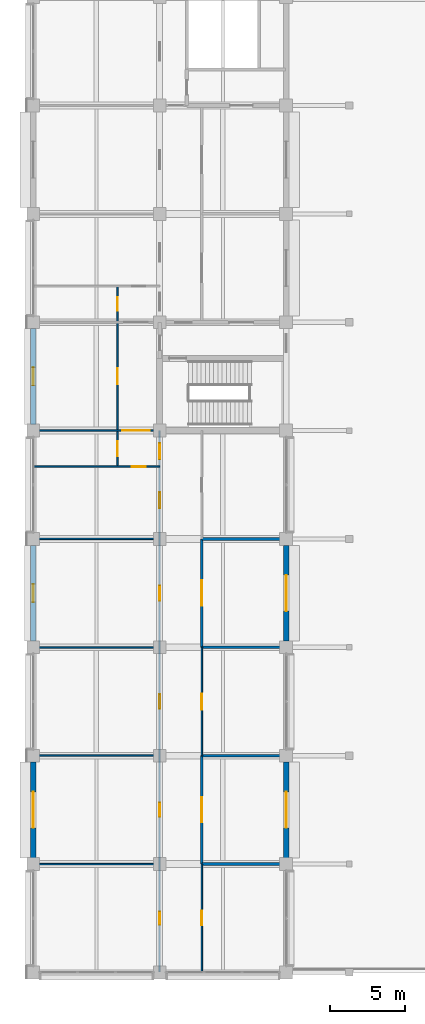
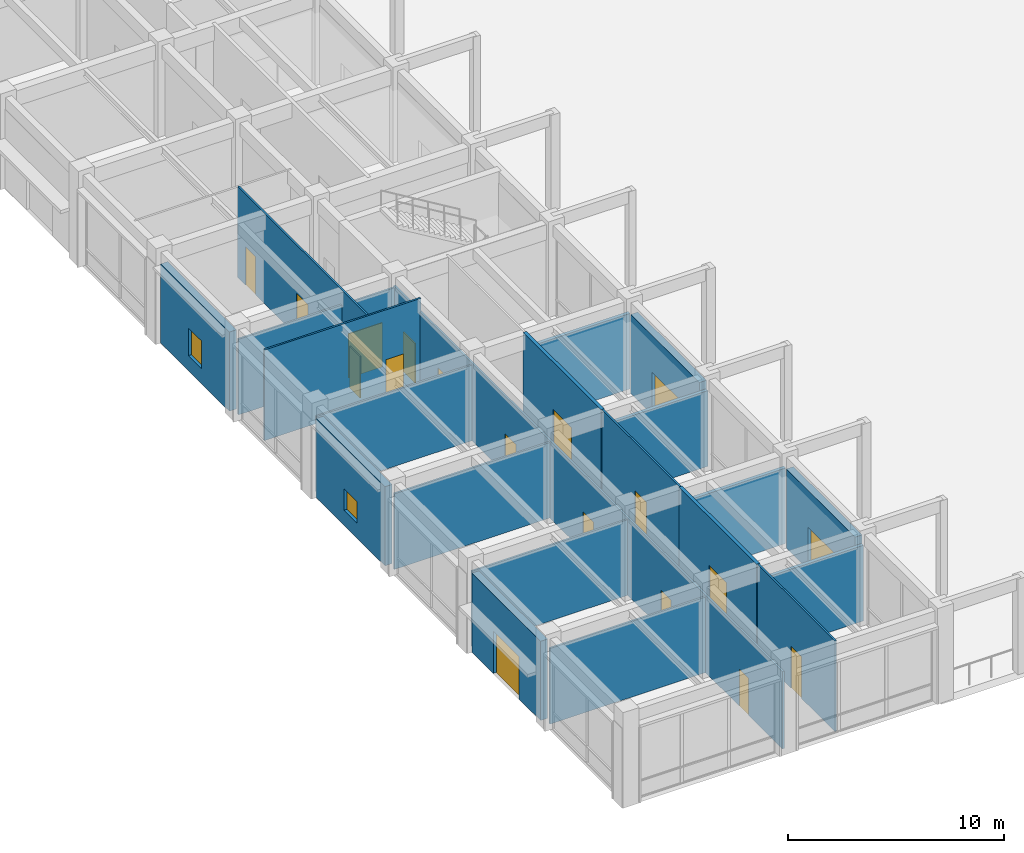
# One storey, part 38 of 73: 21 walls, 18 doors, 2 windows, 20 openings.
"""IFC4 building model written with IfcOpenShell, lengths in metres."""

import ifcopenshell
import ifcopenshell.guid

model = None  # the IFC model being written
_history = None  # IfcOwnerHistory: only IFC2X3 demands one
_inside = {}  # id of a spatial element -> (the spatial element, [elements in it])
_under = {}  # id of a project, library or spatial element -> (it, [spatial elements below it])
_declared = {}  # id of a project -> (the project, [libraries it declares])
_typed = {}  # id of a type object -> (the type object, [elements of that type])
_made_of = {}  # id of a material, layer set ... -> (it, [elements and type objects made of it])


def new_model(schema):
    """Start an empty IFC model of exactly this schema.

    Asked for "IFC4X3", IfcOpenShell would pick the latest addendum, in which some entities
    have other attributes; the version numbers below select the first issue.
    IFC2X3 requires an IfcOwnerHistory on every rooted entity: one is made here for all.
    """
    global model, _history
    if schema == "IFC4X3":
        model = ifcopenshell.file(schema_version=(4, 3, 0, 0))
    else:
        model = ifcopenshell.file(schema=schema)
    _inside.clear()
    _under.clear()
    _declared.clear()
    _typed.clear()
    _made_of.clear()
    _history = None
    if model.schema == "IFC2X3":
        org = make("IfcOrganization", Name="unknown")
        user = make(
            "IfcPersonAndOrganization",
            ThePerson=make("IfcPerson", FamilyName="unknown"),
            TheOrganization=org,
        )
        app = make(
            "IfcApplication",
            ApplicationDeveloper=org,
            Version="unknown",
            ApplicationFullName="unknown",
            ApplicationIdentifier="unknown",
        )
        _history = make(
            "IfcOwnerHistory",
            OwningUser=user,
            OwningApplication=app,
            ChangeAction="ADDED",
            CreationDate=0,
        )
    return model


def make(cls, **values):
    """One entity of the class cls with the attributes given. An attribute that is None is left unset."""
    return model.create_entity(
        cls, **{name: value for name, value in values.items() if value is not None}
    )


def rooted(cls, **values):
    """An entity with a GlobalId (a new one), such as an element, a storey or a relation."""
    return make(cls, GlobalId=ifcopenshell.guid.new(), OwnerHistory=_history, **values)


def si_unit(unit_type, name, prefix=None):
    """IfcSIUnit, for example si_unit("LENGTHUNIT", "METRE", prefix="MILLI")."""
    return make("IfcSIUnit", UnitType=unit_type, Prefix=prefix, Name=name)


def assignment(units):
    """IfcUnitAssignment: the units of a project."""
    return None if units is None else make("IfcUnitAssignment", Units=units)


def point(xyz):
    """IfcCartesianPoint."""
    return None if xyz is None else make("IfcCartesianPoint", Coordinates=xyz)


def direction(xyz):
    """IfcDirection."""
    return None if xyz is None else make("IfcDirection", DirectionRatios=xyz)


def frame(location, z_axis=None, x_axis=None):
    """IfcAxis2Placement3D, a coordinate frame: its origin and axes. An axis left out is left unset."""
    return make(
        "IfcAxis2Placement3D",
        Location=point(location),
        Axis=direction(z_axis),
        RefDirection=direction(x_axis),
    )


def frame_2d(location, x_axis=None):
    """IfcAxis2Placement2D, a coordinate frame in the plane: its origin and x axis."""
    return make(
        "IfcAxis2Placement2D", Location=point(location), RefDirection=direction(x_axis)
    )


def origin():
    """The frame at (0, 0, 0) with its axes left unset."""
    return frame((0.0, 0.0, 0.0))


def place(relative_to, where):
    """IfcLocalPlacement: puts the frame where relative to a parent placement (None: the world)."""
    return make(
        "IfcLocalPlacement", PlacementRelTo=relative_to, RelativePlacement=where
    )


def context(
    kind, dimensions, precision=None, world=None, true_north=None, identifier=None
):
    """IfcGeometricRepresentationContext, for example the 3D "Model" context."""
    return make(
        "IfcGeometricRepresentationContext",
        ContextIdentifier=identifier,
        ContextType=kind,
        CoordinateSpaceDimension=dimensions,
        Precision=precision,
        WorldCoordinateSystem=world,
        TrueNorth=true_north,
    )


def subcontext(parent, identifier, kind, view, scale=None):
    """IfcGeometricRepresentationSubContext, for example "Body" below "Model"."""
    return make(
        "IfcGeometricRepresentationSubContext",
        ContextIdentifier=identifier,
        ContextType=kind,
        ParentContext=parent,
        TargetScale=scale,
        TargetView=view,
    )


def project(units=None, contexts=None):
    """IfcProject with its units and contexts."""
    return rooted(
        "IfcProject",
        Name="project",
        RepresentationContexts=contexts,
        UnitsInContext=assignment(units),
    )


def spatial(cls, under=None, at=None, **own):
    """A site, building, storey or space (cls), placed at a placement, below another one or the project."""
    s = rooted(cls, ObjectPlacement=at, **own)
    if under is not None:
        _under.setdefault(under.id(), (under, []))[1].append(s)
    return s


def profile(cls, at=None, kind="AREA", **sizes):
    """A parametric profile (cls). Its sizes go by their IFC names, for example OverallWidth=200.0."""
    return make(cls, ProfileType=kind, Position=at, **sizes)


def rectangle(**sizes):
    """IfcRectangleProfileDef."""
    return profile("IfcRectangleProfileDef", **sizes)


def extrude(swept, where, along, depth):
    """IfcExtrudedAreaSolid: the profile swept, set in the frame where, extruded along a direction by depth."""
    return make(
        "IfcExtrudedAreaSolid",
        SweptArea=swept,
        Position=where,
        ExtrudedDirection=direction(along),
        Depth=depth,
    )


def shape(context_of_items, identifier, shape_type, items):
    """IfcShapeRepresentation: the items that make up one representation, for example the "Body"."""
    return make(
        "IfcShapeRepresentation",
        ContextOfItems=context_of_items,
        RepresentationIdentifier=identifier,
        RepresentationType=shape_type,
        Items=items,
    )


def material(Name=None, Category=None):
    """IfcMaterial."""
    return make("IfcMaterial", Name=Name, Category=Category)


def layer(
    of_material, thickness, ventilated=None, Name=None, Category=None, Priority=None
):
    """IfcMaterialLayer: one layer of a wall or slab, of a material (None: an air gap)."""
    return make(
        "IfcMaterialLayer",
        Material=of_material,
        LayerThickness=thickness,
        IsVentilated=ventilated,
        Name=Name,
        Category=Category,
        Priority=Priority,
    )


def layer_set(layers, Name=None):
    """IfcMaterialLayerSet."""
    return make("IfcMaterialLayerSet", MaterialLayers=layers, LayerSetName=Name)


def made_of(thing, what):
    """Note that an element or type object is made of a material, layer set ...; save() writes the relation."""
    if what is not None:
        _made_of.setdefault(what.id(), (what, []))[1].append(thing)
    return thing


def type_object(cls, material=None, **own):
    """A type object (cls), such as IfcWallType, which elements share."""
    return made_of(rooted(cls, **own), material)


def element(
    cls,
    number,
    at=None,
    inside=None,
    cuts=None,
    type_object=None,
    material=None,
    context=None,
    identifier="Body",
    shape_type=None,
    held_by="IfcProductDefinitionShape",
    body=None,
    shapes=None,
    **own,
):
    """One element of the class cls, such as IfcWall. Its Tag is "e" and its number.

    at: its placement. inside: the storey or other place that contains it. cuts: it is an
    opening in that element (IfcRelVoidsElement). A single representation is given by context,
    identifier, shape_type and body (its items); several are given by shapes. held_by: the class
    of the entity that holds the representations. save() writes the other relations.
    """
    e = rooted(cls, Tag="e%d" % number, ObjectPlacement=at, **own)
    if body is not None:
        shapes = [shape(context, identifier, shape_type, body)]
    if shapes is not None:
        e.Representation = make(held_by, Representations=shapes)
    if inside is not None:
        _inside.setdefault(inside.id(), (inside, []))[1].append(e)
    if cuts is not None:
        rooted(
            "IfcRelVoidsElement", RelatingBuildingElement=cuts, RelatedOpeningElement=e
        )
    if type_object is not None:
        _typed.setdefault(type_object.id(), (type_object, []))[1].append(e)
    return made_of(e, material)


def fill(opening, filler):
    """IfcRelFillsElement: the door or window that sits in an opening."""
    return rooted(
        "IfcRelFillsElement",
        RelatingOpeningElement=opening,
        RelatedBuildingElement=filler,
    )


def aggregate(whole, parts):
    """IfcRelAggregates: a whole, such as a stair, and the parts it consists of."""
    return rooted("IfcRelAggregates", RelatingObject=whole, RelatedObjects=parts)


def save(model, path):
    """Write the relations noted so far, then the file.

    IfcRelAggregates (storeys below a building ...), IfcRelContainedInSpatialStructure (elements
    in a storey), IfcRelDefinesByType, IfcRelAssociatesMaterial and IfcRelDeclares: one each for
    every whole, place, type object, material and project.
    """
    for whole, parts in _under.values():
        aggregate(whole, parts)
    for where, things in _inside.values():
        rooted(
            "IfcRelContainedInSpatialStructure",
            RelatedElements=things,
            RelatingStructure=where,
        )
    for kind, things in _typed.values():
        rooted("IfcRelDefinesByType", RelatedObjects=things, RelatingType=kind)
    for what, things in _made_of.values():
        rooted("IfcRelAssociatesMaterial", RelatedObjects=things, RelatingMaterial=what)
    for by, libraries in _declared.values():
        rooted("IfcRelDeclares", RelatingContext=by, RelatedDefinitions=libraries)
    model.write(path)


model = new_model("IFC4")

# Units and contexts
model_context = context("Model", 3, precision=1e-05, world=origin(), true_north=direction((0.0, 1.0)))
body_context = subcontext(model_context, "Body", "Model", "MODEL_VIEW")
ifc_project = project(units=[si_unit("LENGTHUNIT", "METRE"), si_unit("AREAUNIT", "SQUARE_METRE"), si_unit("VOLUMEUNIT", "CUBIC_METRE"), si_unit("PLANEANGLEUNIT", "RADIAN"), si_unit("MASSUNIT", "GRAM", prefix="KILO")], contexts=[model_context])

# Site, building, storey
site_placement = place(None, origin())
site = spatial("IfcSite", under=ifc_project, at=site_placement, CompositionType="ELEMENT")
building_placement = place(site_placement, origin())
building = spatial("IfcBuilding", under=site, at=building_placement, Name="Chengyuan Square Courthouse", CompositionType="ELEMENT")
storey_placement = place(building_placement, origin())
storey = spatial("IfcBuildingStorey", under=building, at=storey_placement, Name="L01", CompositionType="ELEMENT", Elevation=0.0)

# Wall, opening, door
ifc_material_1 = material(Name="Concrete C40", Category="concrete")
ifc_layer_1 = layer(ifc_material_1, 0.3798828125)
ifc_layer_set_1 = layer_set([ifc_layer_1], Name="Concrete C40")
wall_type_1 = type_object("IfcWallType", Name="WL-EW1", PredefinedType="STANDARD", material=ifc_layer_set_1)
wall_1_placement = place(storey_placement, frame((0.0, 7.6201171875, 0.0), z_axis=(0.0, 0.0, 1.0), x_axis=(0.0, 1.0, 0.0)))
wall_1 = element("IfcWall", 1, at=wall_1_placement, inside=storey, type_object=wall_type_1, Name="Exterior Wall WL-L01-E145", PredefinedType="STANDARD", context=body_context, shape_type="SweptSolid", body=[
    extrude(rectangle(XDim=6.35986328125, YDim=0.3798828125, at=frame_2d((3.179931640625, 0.0))), origin(), (0.0, 0.0, 1.0), 4.469970703125),
])
opening_1_placement = place(wall_1_placement, frame((1.97998046875, 0.0, 0.0)))
opening_1 = element("IfcOpeningElement", 2, at=opening_1_placement, cuts=wall_1, Name="Opening E-17", PredefinedType="OPENING", context=body_context, shape_type="SweptSolid", body=[
    extrude(rectangle(XDim=2.39990234375, YDim=2.39990234375, at=frame_2d((1.199951171875, 1.199951171875))), frame((0.0, 0.201904296875, 0.0), z_axis=(0.0, -1.0, 0.0), x_axis=(1.0, 0.0, 0.0)), (0.0, 0.0, 1.0), 0.40380859375),
])
ifc_material_2 = material(Name="Glazed Bronze Civic Entrance Door")
door_type_1 = type_object("IfcDoorType", Name="DT-01", OperationType="DOUBLE_DOOR_SINGLE_SWING", PredefinedType="DOOR", material=ifc_material_2)
door_1_placement = place(opening_1_placement, origin())
door_1 = element("IfcDoor", 3, at=door_1_placement, inside=storey, type_object=door_type_1, Name="Main Pedestrian Entrance Exit Door E-17", OperationType="DOUBLE_DOOR_SINGLE_SWING", OverallHeight=2.39990234375, OverallWidth=2.39990234375, PredefinedType="DOOR", context=body_context, shape_type="SweptSolid", body=[
    extrude(rectangle(XDim=2.39990234375, YDim=2.39990234375, at=frame_2d((1.199951171875, 1.199951171875))), frame((0.0, 0.02490234375, 0.0), z_axis=(0.0, -1.0, 0.0), x_axis=(1.0, 0.0, 0.0)), (0.0, 0.0, 1.0), 0.050048828125),
])
fill(opening_1, door_1)

# Wall, opening, window
wall_2_placement = place(storey_placement, frame((0.0, 22.02001953125, 0.0), z_axis=(0.0, 0.0, 1.0), x_axis=(0.0, 1.0, 0.0)))
wall_2 = element("IfcWall", 4, at=wall_2_placement, inside=storey, type_object=wall_type_1, Name="Exterior Wall WL-L01-E146", PredefinedType="STANDARD", context=body_context, shape_type="SweptSolid", body=[
    extrude(rectangle(XDim=6.35986328125, YDim=0.3798828125, at=frame_2d((3.179931640625, 0.0))), origin(), (0.0, 0.0, 1.0), 4.469970703125),
])
opening_2_placement = place(wall_2_placement, frame((2.580078125, 0.0, 0.85009765625)))
opening_2 = element("IfcOpeningElement", 5, at=opening_2_placement, cuts=wall_2, Name="Opening WN-001", PredefinedType="OPENING", context=body_context, shape_type="SweptSolid", body=[
    extrude(rectangle(XDim=1.199951171875, YDim=1.199951171875, at=frame_2d((0.60009765625, 0.60009765625))), frame((0.0, 0.201904296875, 0.0), z_axis=(0.0, -1.0, 0.0), x_axis=(1.0, 0.0, 0.0)), (0.0, 0.0, 1.0), 0.40380859375),
])
ifc_material_3 = material(Name="Thermally Broken Aluminium Triple Low-E Window", Category="aluminium")
window_type_1 = type_object("IfcWindowType", Name="WT-13", PartitioningType="SINGLE_PANEL", PredefinedType="WINDOW", material=ifc_material_3)
window_1_placement = place(opening_2_placement, origin())
window_1 = element("IfcWindow", 6, at=window_1_placement, inside=storey, type_object=window_type_1, Name="Facade Window WN-001", OverallHeight=1.199951171875, OverallWidth=1.199951171875, PartitioningType="SINGLE_PANEL", PredefinedType="WINDOW", context=body_context, shape_type="SweptSolid", body=[
    extrude(rectangle(XDim=1.199951171875, YDim=1.199951171875, at=frame_2d((0.60009765625, 0.60009765625))), frame((0.0, 0.030029296875, 0.0), z_axis=(0.0, -1.0, 0.0), x_axis=(1.0, 0.0, 0.0)), (0.0, 0.0, 1.0), 0.06005859375),
])
fill(opening_2, window_1)

wall_3_placement = place(storey_placement, frame((0.0, 36.419921875, 0.0), z_axis=(0.0, 0.0, 1.0), x_axis=(0.0, 1.0, 0.0)))
wall_3 = element("IfcWall", 7, at=wall_3_placement, inside=storey, type_object=wall_type_1, Name="Exterior Wall WL-L01-E147", PredefinedType="STANDARD", context=body_context, shape_type="SweptSolid", body=[
    extrude(rectangle(XDim=6.360107421875, YDim=0.3798828125, at=frame_2d((3.18017578125, 0.0))), origin(), (0.0, 0.0, 1.0), 4.469970703125),
])
opening_3_placement = place(wall_3_placement, frame((2.580078125, 0.0, 0.85009765625)))
opening_3 = element("IfcOpeningElement", 8, at=opening_3_placement, cuts=wall_3, Name="Opening WN-002", PredefinedType="OPENING", context=body_context, shape_type="SweptSolid", body=[
    extrude(rectangle(XDim=1.199951171875, YDim=1.56005859375, at=frame_2d((0.60009765625, 0.780029296875))), frame((0.0, 0.201904296875, 0.0), z_axis=(0.0, -1.0, 0.0), x_axis=(1.0, 0.0, 0.0)), (0.0, 0.0, 1.0), 0.40380859375),
])
window_type_2 = type_object("IfcWindowType", Name="WT-15", PartitioningType="SINGLE_PANEL", PredefinedType="WINDOW", material=ifc_material_3)
window_2_placement = place(opening_3_placement, origin())
window_2 = element("IfcWindow", 9, at=window_2_placement, inside=storey, type_object=window_type_2, Name="Facade Window WN-002", OverallHeight=1.56005859375, OverallWidth=1.199951171875, PartitioningType="SINGLE_PANEL", PredefinedType="WINDOW", context=body_context, shape_type="SweptSolid", body=[
    extrude(rectangle(XDim=1.199951171875, YDim=1.56005859375, at=frame_2d((0.60009765625, 0.780029296875))), frame((0.0, 0.030029296875, 0.0), z_axis=(0.0, -1.0, 0.0), x_axis=(1.0, 0.0, 0.0)), (0.0, 0.0, 1.0), 0.06005859375),
])
fill(opening_3, window_2)

# Wall, opening, door
wall_4_placement = place(storey_placement, frame((16.800048828125, 7.6201171875, 0.0), z_axis=(0.0, 0.0, 1.0), x_axis=(0.0, 1.0, 0.0)))
wall_4 = element("IfcWall", 10, at=wall_4_placement, inside=storey, type_object=wall_type_1, Name="Exterior Wall WL-L01-E153", PredefinedType="STANDARD", context=body_context, shape_type="SweptSolid", body=[
    extrude(rectangle(XDim=6.35986328125, YDim=0.3798828125, at=frame_2d((3.179931640625, 0.0))), origin(), (0.0, 0.0, 1.0), 4.469970703125),
])
opening_4_placement = place(wall_4_placement, frame((1.97998046875, 0.0, 0.0)))
opening_4 = element("IfcOpeningElement", 11, at=opening_4_placement, cuts=wall_4, Name="Opening E-01", PredefinedType="OPENING", context=body_context, shape_type="SweptSolid", body=[
    extrude(rectangle(XDim=2.39990234375, YDim=2.39990234375, at=frame_2d((1.199951171875, 1.199951171875))), frame((0.0, 0.201904296875, 0.0), z_axis=(0.0, -1.0, 0.0), x_axis=(1.0, 0.0, 0.0)), (0.0, 0.0, 1.0), 0.40380859375),
])
door_2_placement = place(opening_4_placement, frame((2.39990234375, 0.0, 0.0), z_axis=(0.0, 0.0, 1.0), x_axis=(-1.0, 0.0, 0.0)))
door_2 = element("IfcDoor", 12, at=door_2_placement, inside=storey, type_object=door_type_1, Name="Main Pedestrian Entrance Exit Door E-01", OperationType="DOUBLE_DOOR_SINGLE_SWING", OverallHeight=2.39990234375, OverallWidth=2.39990234375, PredefinedType="DOOR", context=body_context, shape_type="SweptSolid", body=[
    extrude(rectangle(XDim=2.39990234375, YDim=2.39990234375, at=frame_2d((1.199951171875, 1.199951171875))), frame((0.0, 0.02490234375, 0.0), z_axis=(0.0, -1.0, 0.0), x_axis=(1.0, 0.0, 0.0)), (0.0, 0.0, 1.0), 0.050048828125),
])
fill(opening_4, door_2)

wall_5_placement = place(storey_placement, frame((16.800048828125, 22.02001953125, 0.0), z_axis=(0.0, 0.0, 1.0), x_axis=(0.0, 1.0, 0.0)))
wall_5 = element("IfcWall", 13, at=wall_5_placement, inside=storey, type_object=wall_type_1, Name="Exterior Wall WL-L01-E154", PredefinedType="STANDARD", context=body_context, shape_type="SweptSolid", body=[
    extrude(rectangle(XDim=6.35986328125, YDim=0.3798828125, at=frame_2d((3.179931640625, 0.0))), origin(), (0.0, 0.0, 1.0), 4.469970703125),
])
opening_5_placement = place(wall_5_placement, frame((1.97998046875, 0.0, 0.0)))
opening_5 = element("IfcOpeningElement", 14, at=opening_5_placement, cuts=wall_5, Name="Opening E-02", PredefinedType="OPENING", context=body_context, shape_type="SweptSolid", body=[
    extrude(rectangle(XDim=2.39990234375, YDim=2.39990234375, at=frame_2d((1.199951171875, 1.199951171875))), frame((0.0, 0.201904296875, 0.0), z_axis=(0.0, -1.0, 0.0), x_axis=(1.0, 0.0, 0.0)), (0.0, 0.0, 1.0), 0.40380859375),
])
door_3_placement = place(opening_5_placement, frame((2.39990234375, 0.0, 0.0), z_axis=(0.0, 0.0, 1.0), x_axis=(-1.0, 0.0, 0.0)))
door_3 = element("IfcDoor", 15, at=door_3_placement, inside=storey, type_object=door_type_1, Name="Main Pedestrian Entrance Exit Door E-02", OperationType="DOUBLE_DOOR_SINGLE_SWING", OverallHeight=2.39990234375, OverallWidth=2.39990234375, PredefinedType="DOOR", context=body_context, shape_type="SweptSolid", body=[
    extrude(rectangle(XDim=2.39990234375, YDim=2.39990234375, at=frame_2d((1.199951171875, 1.199951171875))), frame((0.0, 0.02490234375, 0.0), z_axis=(0.0, -1.0, 0.0), x_axis=(1.0, 0.0, 0.0)), (0.0, 0.0, 1.0), 0.050048828125),
])
fill(opening_5, door_3)

# Walls
ifc_material_4 = material(Name="Double-Stud Acoustic Gypsum Courtroom Partition")
ifc_layer_2 = layer(ifc_material_4, 0.179931640625)
ifc_layer_set_2 = layer_set([ifc_layer_2], Name="Double-Stud Acoustic Gypsum Courtroom Partition")
wall_type_2 = type_object("IfcWallType", Name="WL-PT1", PredefinedType="STANDARD", material=ifc_layer_set_2)
for number, where, z_axis, x_axis, name in (
    (16, (11.199951171875, 7.199951171875, 0.0), (0.0, 0.0, 1.0), (1.0, 0.0, 0.0), "Interior Wall WL-L01-I623"),
    (17, (11.199951171875, 14.39990234375, 0.0), (0.0, 0.0, 1.0), (1.0, 0.0, 0.0), "Interior Wall WL-L01-I627"),
    (18, (11.199951171875, 21.60009765625, 0.0), (0.0, 0.0, 1.0), (1.0, 0.0, 0.0), "Interior Wall WL-L01-I631"),
    (19, (11.199951171875, 28.800048828125, 0.0), (0.0, 0.0, 1.0), (1.0, 0.0, 0.0), "Interior Wall WL-L01-I635"),
):
    element("IfcWall", number, at=place(storey_placement, frame(where, z_axis=z_axis, x_axis=x_axis)), inside=storey, type_object=wall_type_2, Name=name, PredefinedType="STANDARD", context=body_context, shape_type="SweptSolid", body=[
        extrude(rectangle(XDim=5.56005859375, YDim=0.179931640625, at=frame_2d((2.780029296875, 0.0))), origin(), (0.0, 0.0, 1.0), 4.27001953125),
    ])

# Wall, opening, door
wall_6_placement = place(storey_placement, frame((11.199951171875, 7.199951171875, 0.0), z_axis=(0.0, 0.0, 1.0), x_axis=(0.0, 1.0, 0.0)))
wall_6 = element("IfcWall", 20, at=wall_6_placement, inside=storey, type_object=wall_type_2, Name="Interior Wall WL-L01-I834", PredefinedType="STANDARD", context=body_context, shape_type="SweptSolid", body=[
    extrude(rectangle(XDim=7.199951171875, YDim=0.179931640625, at=frame_2d((3.60009765625, 0.0))), origin(), (0.0, 0.0, 1.0), 5.1201171875),
])
opening_6_placement = place(wall_6_placement, frame((2.77490234375, 0.0, 0.0)))
opening_6 = element("IfcOpeningElement", 21, at=opening_6_placement, cuts=wall_6, Name="Opening DR-948", PredefinedType="OPENING", context=body_context, shape_type="SweptSolid", body=[
    extrude(rectangle(XDim=1.64990234375, YDim=2.39990234375, at=frame_2d((0.824951171875, 1.199951171875))), frame((0.0, 0.10205078125, 0.0), z_axis=(0.0, -1.0, 0.0), x_axis=(1.0, 0.0, 0.0)), (0.0, 0.0, 1.0), 0.203857421875),
])
ifc_material_5 = material(Name="Acoustic Larch Veneer Double Door")
door_type_2 = type_object("IfcDoorType", Name="DT-22", OperationType="DOUBLE_DOOR_SINGLE_SWING", PredefinedType="DOOR", material=ifc_material_5)
door_4_placement = place(opening_6_placement, frame((1.64990234375, 0.0, 0.0), z_axis=(0.0, 0.0, 1.0), x_axis=(-1.0, 0.0, 0.0)))
door_4 = element("IfcDoor", 22, at=door_4_placement, inside=storey, type_object=door_type_2, Name="Interior Door DR-948", OperationType="DOUBLE_DOOR_SINGLE_SWING", OverallHeight=2.39990234375, OverallWidth=1.64990234375, PredefinedType="DOOR", context=body_context, shape_type="SweptSolid", body=[
    extrude(rectangle(XDim=1.64990234375, YDim=2.39990234375, at=frame_2d((0.824951171875, 1.199951171875))), frame((0.0, 0.02490234375, 0.0), z_axis=(0.0, -1.0, 0.0), x_axis=(1.0, 0.0, 0.0)), (0.0, 0.0, 1.0), 0.050048828125),
])
fill(opening_6, door_4)

wall_7_placement = place(storey_placement, frame((11.199951171875, 21.60009765625, 0.0), z_axis=(0.0, 0.0, 1.0), x_axis=(0.0, 1.0, 0.0)))
wall_7 = element("IfcWall", 23, at=wall_7_placement, inside=storey, type_object=wall_type_2, Name="Interior Wall WL-L01-I836", PredefinedType="STANDARD", context=body_context, shape_type="SweptSolid", body=[
    extrude(rectangle(XDim=7.199951171875, YDim=0.179931640625, at=frame_2d((3.60009765625, 0.0))), origin(), (0.0, 0.0, 1.0), 5.1201171875),
])
opening_7_placement = place(wall_7_placement, frame((2.75, 0.0, 0.0)))
opening_7 = element("IfcOpeningElement", 24, at=opening_7_placement, cuts=wall_7, Name="Opening DR-950", PredefinedType="OPENING", context=body_context, shape_type="SweptSolid", body=[
    extrude(rectangle(XDim=1.699951171875, YDim=2.449951171875, at=frame_2d((0.85009765625, 1.22509765625))), frame((0.0, 0.10205078125, 0.0), z_axis=(0.0, -1.0, 0.0), x_axis=(1.0, 0.0, 0.0)), (0.0, 0.0, 1.0), 0.203857421875),
])
door_type_3 = type_object("IfcDoorType", Name="DT-24", OperationType="DOUBLE_DOOR_SINGLE_SWING", PredefinedType="DOOR", material=ifc_material_5)
door_5_placement = place(opening_7_placement, frame((1.699951171875, 0.0, 0.0), z_axis=(0.0, 0.0, 1.0), x_axis=(-1.0, 0.0, 0.0)))
door_5 = element("IfcDoor", 25, at=door_5_placement, inside=storey, type_object=door_type_3, Name="Interior Door DR-950", OperationType="DOUBLE_DOOR_SINGLE_SWING", OverallHeight=2.449951171875, OverallWidth=1.699951171875, PredefinedType="DOOR", context=body_context, shape_type="SweptSolid", body=[
    extrude(rectangle(XDim=1.699951171875, YDim=2.449951171875, at=frame_2d((0.85009765625, 1.22509765625))), frame((0.0, 0.02490234375, 0.0), z_axis=(0.0, -1.0, 0.0), x_axis=(1.0, 0.0, 0.0)), (0.0, 0.0, 1.0), 0.050048828125),
])
fill(opening_7, door_5)

# Walls
ifc_material_6 = material(Name="Gypsum Plasterboard Acoustic Stud Partition")
ifc_layer_3 = layer(ifc_material_6, 0.10009765625)
ifc_layer_set_3 = layer_set([ifc_layer_3], Name="Gypsum Plasterboard Acoustic Stud Partition")
wall_type_3 = type_object("IfcWallType", Name="WL-PT6", PredefinedType="STANDARD", material=ifc_layer_set_3)
for number, where, z_axis, x_axis, name in (
    (26, (0.0400390625, 7.199951171875, 0.0), (0.0, 0.0, 1.0), (1.0, 0.0, 0.0), "Interior Wall WL-L01-I622"),
    (27, (0.0400390625, 14.39990234375, 0.0), (0.0, 0.0, 1.0), (1.0, 0.0, 0.0), "Interior Wall WL-L01-I626"),
    (28, (0.0400390625, 21.60009765625, 0.0), (0.0, 0.0, 1.0), (1.0, 0.0, 0.0), "Interior Wall WL-L01-I630"),
    (29, (0.0400390625, 28.800048828125, 0.0), (0.0, 0.0, 1.0), (1.0, 0.0, 0.0), "Interior Wall WL-L01-I634"),
):
    element("IfcWall", number, at=place(storey_placement, frame(where, z_axis=z_axis, x_axis=x_axis)), inside=storey, type_object=wall_type_3, Name=name, PredefinedType="STANDARD", context=body_context, shape_type="SweptSolid", body=[
        extrude(rectangle(XDim=8.35986328125, YDim=0.10009765625, at=frame_2d((4.179931640625, 0.0))), origin(), (0.0, 0.0, 1.0), 4.27001953125),
    ])

# Wall, opening, door
wall_8_placement = place(storey_placement, frame((0.0400390625, 33.60009765625, 0.0), z_axis=(0.0, 0.0, 1.0), x_axis=(1.0, 0.0, 0.0)))
wall_8 = element("IfcWall", 30, at=wall_8_placement, inside=storey, type_object=wall_type_3, Name="Interior Wall WL-L01-I638", PredefinedType="STANDARD", context=body_context, shape_type="SweptSolid", body=[
    extrude(rectangle(XDim=8.35986328125, YDim=0.10009765625, at=frame_2d((4.179931640625, 0.0))), origin(), (0.0, 0.0, 1.0), 5.1201171875),
])
opening_8_placement = place(wall_8_placement, frame((6.489990234375, 0.0, 0.0)))
opening_8 = element("IfcOpeningElement", 31, at=opening_8_placement, cuts=wall_8, Name="Opening DR-963", PredefinedType="OPENING", context=body_context, shape_type="SweptSolid", body=[
    extrude(rectangle(XDim=0.93994140625, YDim=2.300048828125, at=frame_2d((0.469970703125, 1.14990234375))), frame((0.0, 0.06201171875, 0.0), z_axis=(0.0, -1.0, 0.0), x_axis=(1.0, 0.0, 0.0)), (0.0, 0.0, 1.0), 0.1240234375),
])
ifc_material_7 = material(Name="Acoustic Solid-Core Timber Door", Category="wood")
door_type_4 = type_object("IfcDoorType", Name="DT-39", OperationType="NOTDEFINED", PredefinedType="DOOR", material=ifc_material_7)
door_6_placement = place(opening_8_placement, origin())
door_6 = element("IfcDoor", 32, at=door_6_placement, inside=storey, type_object=door_type_4, Name="Interior Door DR-963", OperationType="SINGLE_SWING_LEFT", OverallHeight=2.300048828125, OverallWidth=0.93994140625, PredefinedType="DOOR", context=body_context, shape_type="SweptSolid", body=[
    extrude(rectangle(XDim=0.93994140625, YDim=2.300048828125, at=frame_2d((0.469970703125, 1.14990234375))), frame((0.0, 0.02490234375, 0.0), z_axis=(0.0, -1.0, 0.0), x_axis=(1.0, 0.0, 0.0)), (0.0, 0.0, 1.0), 0.050048828125),
])
fill(opening_8, door_6)

wall_9_placement = place(storey_placement, frame((0.0400390625, 36.0, 0.0), z_axis=(0.0, 0.0, 1.0), x_axis=(1.0, 0.0, 0.0)))
wall_9 = element("IfcWall", 33, at=wall_9_placement, inside=storey, type_object=wall_type_3, Name="Interior Wall WL-L01-I640", PredefinedType="STANDARD", context=body_context, shape_type="SweptSolid", body=[
    extrude(rectangle(XDim=8.35986328125, YDim=0.10009765625, at=frame_2d((4.179931640625, 0.0))), origin(), (0.0, 0.0, 1.0), 4.27001953125),
])
opening_9_placement = place(wall_9_placement, frame((5.887451171875, 0.0, 0.0)))
opening_9 = element("IfcOpeningElement", 34, at=opening_9_placement, cuts=wall_9, Name="Opening DR-965", PredefinedType="OPENING", context=body_context, shape_type="SweptSolid", body=[
    extrude(rectangle(XDim=1.800048828125, YDim=2.5, at=frame_2d((0.89990234375, 1.25))), frame((0.0, 0.06201171875, 0.0), z_axis=(0.0, -1.0, 0.0), x_axis=(1.0, 0.0, 0.0)), (0.0, 0.0, 1.0), 0.1240234375),
])
door_type_5 = type_object("IfcDoorType", Name="DT-21", OperationType="DOUBLE_DOOR_SINGLE_SWING", PredefinedType="DOOR", material=ifc_material_5)
door_7_placement = place(opening_9_placement, frame((1.800048828125, 0.0, 0.0), z_axis=(0.0, 0.0, 1.0), x_axis=(-1.0, 0.0, 0.0)))
door_7 = element("IfcDoor", 35, at=door_7_placement, inside=storey, type_object=door_type_5, Name="Interior Door DR-965", OperationType="DOUBLE_DOOR_SINGLE_SWING", OverallHeight=2.5, OverallWidth=1.800048828125, PredefinedType="DOOR", context=body_context, shape_type="SweptSolid", body=[
    extrude(rectangle(XDim=1.800048828125, YDim=2.5, at=frame_2d((0.89990234375, 1.25))), frame((0.0, 0.02490234375, 0.0), z_axis=(0.0, -1.0, 0.0), x_axis=(1.0, 0.0, 0.0)), (0.0, 0.0, 1.0), 0.050048828125),
])
fill(opening_9, door_7)

# Wall, openings, doors
wall_10_placement = place(storey_placement, frame((5.60009765625, 33.60009765625, 0.0), z_axis=(0.0, 0.0, 1.0), x_axis=(0.0, 1.0, 0.0)))
wall_10 = element("IfcWall", 36, at=wall_10_placement, inside=storey, type_object=wall_type_3, Name="Interior Wall WL-L01-I822", PredefinedType="STANDARD", context=body_context, shape_type="SweptSolid", body=[
    extrude(rectangle(XDim=12.0, YDim=0.10009765625, at=frame_2d((6.0, 0.0))), origin(), (0.0, 0.0, 1.0), 5.1201171875),
])
opening_10_placement = place(wall_10_placement, frame((0.7099609375, 0.0, 0.0)))
opening_10 = element("IfcOpeningElement", 37, at=opening_10_placement, cuts=wall_10, Name="Opening DR-964", PredefinedType="OPENING", context=body_context, shape_type="SweptSolid", body=[
    extrude(rectangle(XDim=0.97998046875, YDim=2.35009765625, at=frame_2d((0.489990234375, 1.175048828125))), frame((0.0, 0.06201171875, 0.0), z_axis=(0.0, -1.0, 0.0), x_axis=(1.0, 0.0, 0.0)), (0.0, 0.0, 1.0), 0.1240234375),
])
opening_11_placement = place(wall_10_placement, frame((5.469970703125, 0.0, 0.0)))
opening_11 = element("IfcOpeningElement", 38, at=opening_11_placement, cuts=wall_10, Name="Opening DR-966", PredefinedType="OPENING", context=body_context, shape_type="SweptSolid", body=[
    extrude(rectangle(XDim=1.06005859375, YDim=2.39990234375, at=frame_2d((0.530029296875, 1.199951171875))), frame((0.0, 0.06201171875, 0.0), z_axis=(0.0, -1.0, 0.0), x_axis=(1.0, 0.0, 0.0)), (0.0, 0.0, 1.0), 0.1240234375),
])
opening_12_placement = place(wall_10_placement, frame((10.35009765625, 0.0, 0.0)))
opening_12 = element("IfcOpeningElement", 39, at=opening_12_placement, cuts=wall_10, Name="Opening DR-968", PredefinedType="OPENING", context=body_context, shape_type="SweptSolid", body=[
    extrude(rectangle(XDim=0.89990234375, YDim=2.14990234375, at=frame_2d((0.449951171875, 1.074951171875))), frame((0.0, 0.06201171875, 0.0), z_axis=(0.0, -1.0, 0.0), x_axis=(1.0, 0.0, 0.0)), (0.0, 0.0, 1.0), 0.1240234375),
])
door_type_6 = type_object("IfcDoorType", Name="DT-27", OperationType="NOTDEFINED", PredefinedType="DOOR", material=ifc_material_7)
door_8_placement = place(opening_12_placement, origin())
door_8 = element("IfcDoor", 40, at=door_8_placement, inside=storey, type_object=door_type_6, Name="Interior Door DR-968", OperationType="SINGLE_SWING_RIGHT", OverallHeight=2.14990234375, OverallWidth=0.89990234375, PredefinedType="DOOR", context=body_context, shape_type="SweptSolid", body=[
    extrude(rectangle(XDim=0.89990234375, YDim=2.14990234375, at=frame_2d((0.449951171875, 1.074951171875))), frame((0.0, 0.02490234375, 0.0), z_axis=(0.0, -1.0, 0.0), x_axis=(1.0, 0.0, 0.0)), (0.0, 0.0, 1.0), 0.050048828125),
])
fill(opening_12, door_8)
door_type_7 = type_object("IfcDoorType", Name="DT-40", OperationType="NOTDEFINED", PredefinedType="DOOR", material=ifc_material_7)
door_9_placement = place(opening_10_placement, origin())
door_9 = element("IfcDoor", 41, at=door_9_placement, inside=storey, type_object=door_type_7, Name="Interior Door DR-964", OperationType="SINGLE_SWING_RIGHT", OverallHeight=2.35009765625, OverallWidth=0.97998046875, PredefinedType="DOOR", context=body_context, shape_type="SweptSolid", body=[
    extrude(rectangle(XDim=0.97998046875, YDim=2.35009765625, at=frame_2d((0.489990234375, 1.175048828125))), frame((0.0, 0.02490234375, 0.0), z_axis=(0.0, -1.0, 0.0), x_axis=(1.0, 0.0, 0.0)), (0.0, 0.0, 1.0), 0.050048828125),
])
fill(opening_10, door_9)
door_type_8 = type_object("IfcDoorType", Name="DT-42", OperationType="NOTDEFINED", PredefinedType="DOOR", material=ifc_material_7)
door_10_placement = place(opening_11_placement, origin())
door_10 = element("IfcDoor", 42, at=door_10_placement, inside=storey, type_object=door_type_8, Name="Interior Door DR-966", OperationType="SINGLE_SWING_LEFT", OverallHeight=2.39990234375, OverallWidth=1.06005859375, PredefinedType="DOOR", context=body_context, shape_type="SweptSolid", body=[
    extrude(rectangle(XDim=1.06005859375, YDim=2.39990234375, at=frame_2d((0.530029296875, 1.199951171875))), frame((0.0, 0.02490234375, 0.0), z_axis=(0.0, -1.0, 0.0), x_axis=(1.0, 0.0, 0.0)), (0.0, 0.0, 1.0), 0.050048828125),
])
fill(opening_11, door_10)

wall_11_placement = place(storey_placement, frame((8.39990234375, 0.0400390625, 0.0), z_axis=(0.0, 0.0, 1.0), x_axis=(0.0, 1.0, 0.0)))
wall_11 = element("IfcWall", 43, at=wall_11_placement, inside=storey, type_object=wall_type_3, Name="Interior Wall WL-L01-I825", PredefinedType="STANDARD", context=body_context, shape_type="SweptSolid", body=[
    extrude(rectangle(XDim=35.9599609375, YDim=0.10009765625, at=frame_2d((17.97998046875, 0.0))), origin(), (0.0, 0.0, 1.0), 4.3701171875),
])
opening_13_placement = place(wall_11_placement, frame((3.1298828125, 0.0, 0.0)))
opening_13 = element("IfcOpeningElement", 44, at=opening_13_placement, cuts=wall_11, Name="Opening DR-952", PredefinedType="OPENING", context=body_context, shape_type="SweptSolid", body=[
    extrude(rectangle(XDim=0.860107421875, YDim=2.10009765625, at=frame_2d((0.43017578125, 1.050048828125))), frame((0.0, 0.06201171875, 0.0), z_axis=(0.0, -1.0, 0.0), x_axis=(1.0, 0.0, 0.0)), (0.0, 0.0, 1.0), 0.1240234375),
])
opening_14_placement = place(wall_11_placement, frame((10.300048828125, 0.0, 0.0)))
opening_14 = element("IfcOpeningElement", 45, at=opening_14_placement, cuts=wall_11, Name="Opening DR-953", PredefinedType="OPENING", context=body_context, shape_type="SweptSolid", body=[
    extrude(rectangle(XDim=0.919921875, YDim=2.14990234375, at=frame_2d((0.4599609375, 1.074951171875))), frame((0.0, 0.06201171875, 0.0), z_axis=(0.0, -1.0, 0.0), x_axis=(1.0, 0.0, 0.0)), (0.0, 0.0, 1.0), 0.1240234375),
])
opening_15_placement = place(wall_11_placement, frame((17.47998046875, 0.0, 0.0)))
opening_15 = element("IfcOpeningElement", 46, at=opening_15_placement, cuts=wall_11, Name="Opening DR-954", PredefinedType="OPENING", context=body_context, shape_type="SweptSolid", body=[
    extrude(rectangle(XDim=0.9599609375, YDim=2.199951171875, at=frame_2d((0.47998046875, 1.10009765625))), frame((0.0, 0.06201171875, 0.0), z_axis=(0.0, -1.0, 0.0), x_axis=(1.0, 0.0, 0.0)), (0.0, 0.0, 1.0), 0.1240234375),
])
opening_16_placement = place(wall_11_placement, frame((24.659912109375, 0.0, 0.0)))
opening_16 = element("IfcOpeningElement", 47, at=opening_16_placement, cuts=wall_11, Name="Opening DR-955", PredefinedType="OPENING", context=body_context, shape_type="SweptSolid", body=[
    extrude(rectangle(XDim=1.0, YDim=2.25, at=frame_2d((0.5, 1.125))), frame((0.0, 0.06201171875, 0.0), z_axis=(0.0, -1.0, 0.0), x_axis=(1.0, 0.0, 0.0)), (0.0, 0.0, 1.0), 0.1240234375),
])
opening_17_placement = place(wall_11_placement, frame((30.8125, 0.0, 0.0)))
opening_17 = element("IfcOpeningElement", 48, at=opening_17_placement, cuts=wall_11, Name="Opening DR-956", PredefinedType="OPENING", context=body_context, shape_type="SweptSolid", body=[
    extrude(rectangle(XDim=1.0400390625, YDim=2.199951171875, at=frame_2d((0.52001953125, 1.10009765625))), frame((0.0, 0.06201171875, 0.0), z_axis=(0.0, -1.0, 0.0), x_axis=(1.0, 0.0, 0.0)), (0.0, 0.0, 1.0), 0.1240234375),
])
opening_18_placement = place(wall_11_placement, frame((34.047607421875, 0.0, 0.0)))
opening_18 = element("IfcOpeningElement", 49, at=opening_18_placement, cuts=wall_11, Name="Opening DR-957", PredefinedType="OPENING", context=body_context, shape_type="SweptSolid", body=[
    extrude(rectangle(XDim=1.080078125, YDim=2.25, at=frame_2d((0.5400390625, 1.125))), frame((0.0, 0.06201171875, 0.0), z_axis=(0.0, -1.0, 0.0), x_axis=(1.0, 0.0, 0.0)), (0.0, 0.0, 1.0), 0.1240234375),
])
door_type_9 = type_object("IfcDoorType", Name="DT-28", OperationType="NOTDEFINED", PredefinedType="DOOR", material=ifc_material_7)
door_11_placement = place(opening_13_placement, origin())
door_11 = element("IfcDoor", 50, at=door_11_placement, inside=storey, type_object=door_type_9, Name="Interior Door DR-952", OperationType="SINGLE_SWING_RIGHT", OverallHeight=2.10009765625, OverallWidth=0.860107421875, PredefinedType="DOOR", context=body_context, shape_type="SweptSolid", body=[
    extrude(rectangle(XDim=0.860107421875, YDim=2.10009765625, at=frame_2d((0.43017578125, 1.050048828125))), frame((0.0, 0.02490234375, 0.0), z_axis=(0.0, -1.0, 0.0), x_axis=(1.0, 0.0, 0.0)), (0.0, 0.0, 1.0), 0.050048828125),
])
fill(opening_13, door_11)
door_type_10 = type_object("IfcDoorType", Name="DT-29", OperationType="NOTDEFINED", PredefinedType="DOOR", material=ifc_material_7)
door_12_placement = place(opening_14_placement, origin())
door_12 = element("IfcDoor", 51, at=door_12_placement, inside=storey, type_object=door_type_10, Name="Interior Door DR-953", OperationType="SINGLE_SWING_LEFT", OverallHeight=2.14990234375, OverallWidth=0.919921875, PredefinedType="DOOR", context=body_context, shape_type="SweptSolid", body=[
    extrude(rectangle(XDim=0.919921875, YDim=2.14990234375, at=frame_2d((0.4599609375, 1.074951171875))), frame((0.0, 0.02490234375, 0.0), z_axis=(0.0, -1.0, 0.0), x_axis=(1.0, 0.0, 0.0)), (0.0, 0.0, 1.0), 0.050048828125),
])
fill(opening_14, door_12)
door_type_11 = type_object("IfcDoorType", Name="DT-30", OperationType="NOTDEFINED", PredefinedType="DOOR", material=ifc_material_7)
door_13_placement = place(opening_15_placement, origin())
door_13 = element("IfcDoor", 52, at=door_13_placement, inside=storey, type_object=door_type_11, Name="Interior Door DR-954", OperationType="SINGLE_SWING_RIGHT", OverallHeight=2.199951171875, OverallWidth=0.9599609375, PredefinedType="DOOR", context=body_context, shape_type="SweptSolid", body=[
    extrude(rectangle(XDim=0.9599609375, YDim=2.199951171875, at=frame_2d((0.47998046875, 1.10009765625))), frame((0.0, 0.02490234375, 0.0), z_axis=(0.0, -1.0, 0.0), x_axis=(1.0, 0.0, 0.0)), (0.0, 0.0, 1.0), 0.050048828125),
])
fill(opening_15, door_13)
door_type_12 = type_object("IfcDoorType", Name="DT-31", OperationType="NOTDEFINED", PredefinedType="DOOR", material=ifc_material_7)
door_14_placement = place(opening_16_placement, origin())
door_14 = element("IfcDoor", 53, at=door_14_placement, inside=storey, type_object=door_type_12, Name="Interior Door DR-955", OperationType="SINGLE_SWING_LEFT", OverallHeight=2.25, OverallWidth=1.0, PredefinedType="DOOR", context=body_context, shape_type="SweptSolid", body=[
    extrude(rectangle(XDim=1.0, YDim=2.25, at=frame_2d((0.5, 1.125))), frame((0.0, 0.02490234375, 0.0), z_axis=(0.0, -1.0, 0.0), x_axis=(1.0, 0.0, 0.0)), (0.0, 0.0, 1.0), 0.050048828125),
])
fill(opening_16, door_14)
door_type_13 = type_object("IfcDoorType", Name="DT-32", OperationType="NOTDEFINED", PredefinedType="DOOR", material=ifc_material_7)
door_15_placement = place(opening_17_placement, origin())
door_15 = element("IfcDoor", 54, at=door_15_placement, inside=storey, type_object=door_type_13, Name="Interior Door DR-956", OperationType="SINGLE_SWING_RIGHT", OverallHeight=2.199951171875, OverallWidth=1.0400390625, PredefinedType="DOOR", context=body_context, shape_type="SweptSolid", body=[
    extrude(rectangle(XDim=1.0400390625, YDim=2.199951171875, at=frame_2d((0.52001953125, 1.10009765625))), frame((0.0, 0.02490234375, 0.0), z_axis=(0.0, -1.0, 0.0), x_axis=(1.0, 0.0, 0.0)), (0.0, 0.0, 1.0), 0.050048828125),
])
fill(opening_17, door_15)
door_type_14 = type_object("IfcDoorType", Name="DT-33", OperationType="NOTDEFINED", PredefinedType="DOOR", material=ifc_material_7)
door_16_placement = place(opening_18_placement, origin())
door_16 = element("IfcDoor", 55, at=door_16_placement, inside=storey, type_object=door_type_14, Name="Interior Door DR-957", OperationType="SINGLE_SWING_LEFT", OverallHeight=2.25, OverallWidth=1.080078125, PredefinedType="DOOR", context=body_context, shape_type="SweptSolid", body=[
    extrude(rectangle(XDim=1.080078125, YDim=2.25, at=frame_2d((0.5400390625, 1.125))), frame((0.0, 0.02490234375, 0.0), z_axis=(0.0, -1.0, 0.0), x_axis=(1.0, 0.0, 0.0)), (0.0, 0.0, 1.0), 0.050048828125),
])
fill(opening_18, door_16)

# Wall, opening, door
wall_12_placement = place(storey_placement, frame((11.199951171875, 0.0400390625, 0.0), z_axis=(0.0, 0.0, 1.0), x_axis=(0.0, 1.0, 0.0)))
wall_12 = element("IfcWall", 56, at=wall_12_placement, inside=storey, type_object=wall_type_3, Name="Interior Wall WL-L01-I833", PredefinedType="STANDARD", context=body_context, shape_type="SweptSolid", body=[
    extrude(rectangle(XDim=7.159912109375, YDim=0.10009765625, at=frame_2d((3.580078125, 0.0))), origin(), (0.0, 0.0, 1.0), 5.1201171875),
])
opening_19_placement = place(wall_12_placement, frame((3.090087890625, 0.0, 0.0)))
opening_19 = element("IfcOpeningElement", 57, at=opening_19_placement, cuts=wall_12, Name="Opening DR-947", PredefinedType="OPENING", context=body_context, shape_type="SweptSolid", body=[
    extrude(rectangle(XDim=0.97998046875, YDim=2.35009765625, at=frame_2d((0.489990234375, 1.175048828125))), frame((0.0, 0.06201171875, 0.0), z_axis=(0.0, -1.0, 0.0), x_axis=(1.0, 0.0, 0.0)), (0.0, 0.0, 1.0), 0.1240234375),
])
door_17_placement = place(opening_19_placement, origin())
door_17 = element("IfcDoor", 58, at=door_17_placement, inside=storey, type_object=door_type_7, Name="Interior Door DR-947", OperationType="SINGLE_SWING_LEFT", OverallHeight=2.35009765625, OverallWidth=0.97998046875, PredefinedType="DOOR", context=body_context, shape_type="SweptSolid", body=[
    extrude(rectangle(XDim=0.97998046875, YDim=2.35009765625, at=frame_2d((0.489990234375, 1.175048828125))), frame((0.0, 0.02490234375, 0.0), z_axis=(0.0, -1.0, 0.0), x_axis=(1.0, 0.0, 0.0)), (0.0, 0.0, 1.0), 0.050048828125),
])
fill(opening_19, door_17)

wall_13_placement = place(storey_placement, frame((11.199951171875, 14.39990234375, 0.0), z_axis=(0.0, 0.0, 1.0), x_axis=(0.0, 1.0, 0.0)))
wall_13 = element("IfcWall", 59, at=wall_13_placement, inside=storey, type_object=wall_type_3, Name="Interior Wall WL-L01-I835", PredefinedType="STANDARD", context=body_context, shape_type="SweptSolid", body=[
    extrude(rectangle(XDim=7.2001953125, YDim=0.10009765625, at=frame_2d((3.60009765625, 0.0))), origin(), (0.0, 0.0, 1.0), 5.1201171875),
])
opening_20_placement = place(wall_13_placement, frame((3.070068359375, 0.0, 0.0)))
opening_20 = element("IfcOpeningElement", 60, at=opening_20_placement, cuts=wall_13, Name="Opening DR-949", PredefinedType="OPENING", context=body_context, shape_type="SweptSolid", body=[
    extrude(rectangle(XDim=1.06005859375, YDim=2.39990234375, at=frame_2d((0.530029296875, 1.199951171875))), frame((0.0, 0.06201171875, 0.0), z_axis=(0.0, -1.0, 0.0), x_axis=(1.0, 0.0, 0.0)), (0.0, 0.0, 1.0), 0.1240234375),
])
door_18_placement = place(opening_20_placement, origin())
door_18 = element("IfcDoor", 61, at=door_18_placement, inside=storey, type_object=door_type_8, Name="Interior Door DR-949", OperationType="SINGLE_SWING_RIGHT", OverallHeight=2.39990234375, OverallWidth=1.06005859375, PredefinedType="DOOR", context=body_context, shape_type="SweptSolid", body=[
    extrude(rectangle(XDim=1.06005859375, YDim=2.39990234375, at=frame_2d((0.530029296875, 1.199951171875))), frame((0.0, 0.02490234375, 0.0), z_axis=(0.0, -1.0, 0.0), x_axis=(1.0, 0.0, 0.0)), (0.0, 0.0, 1.0), 0.050048828125),
])
fill(opening_20, door_18)

save(model, "model.ifc")
